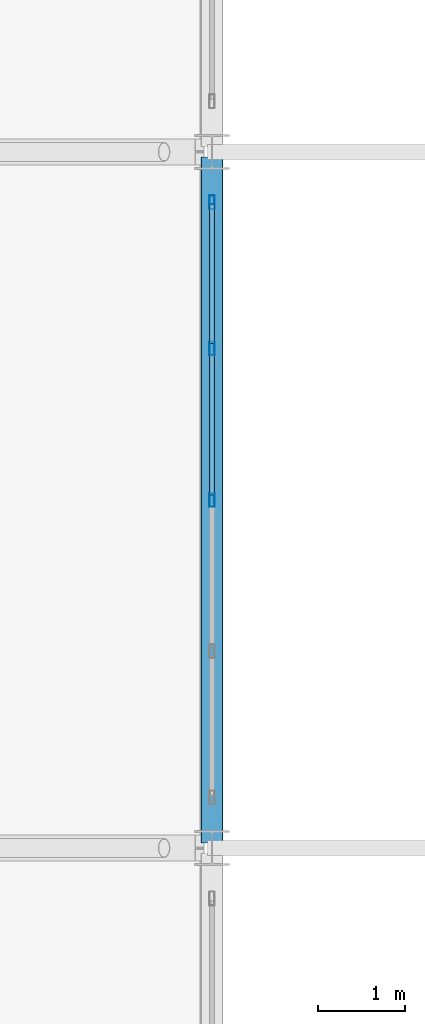
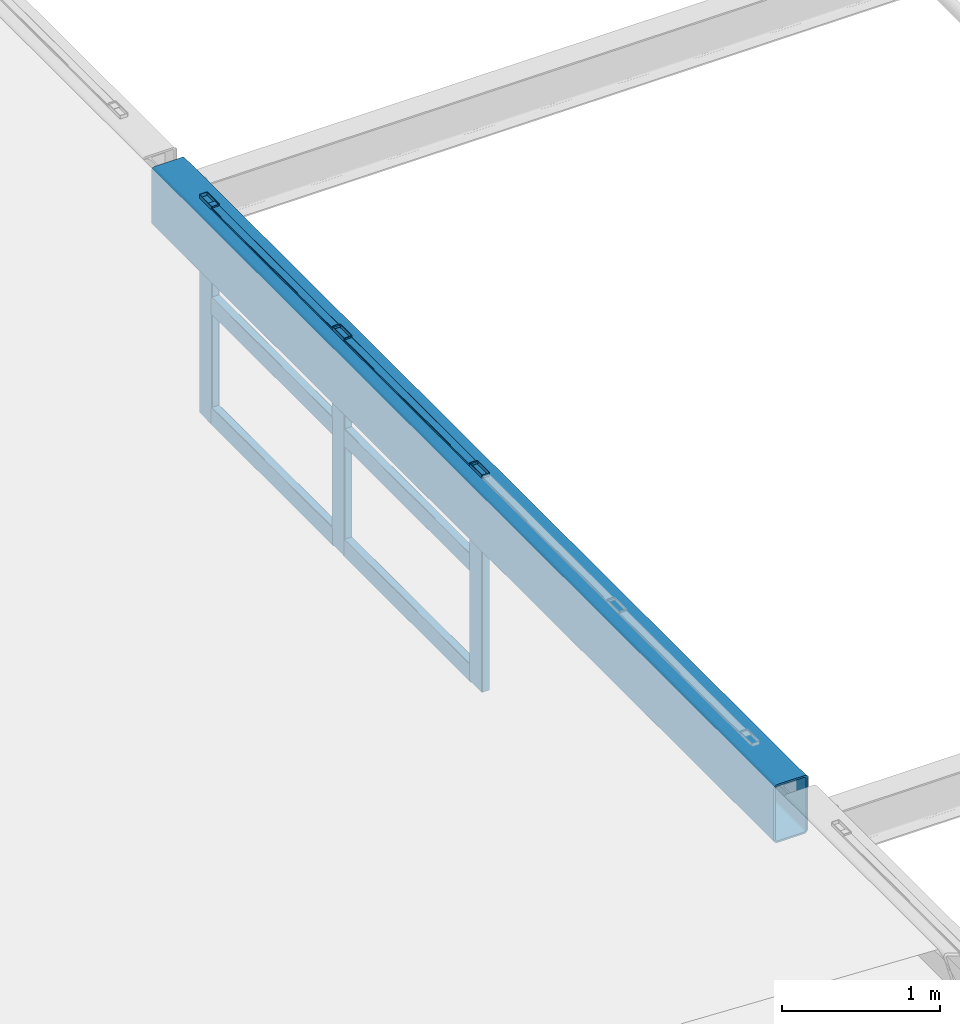
# One storey, part 23 of 128: 9 members, 1 beam, 1 element without a shape of its own.
"""IFC4 building model written with IfcOpenShell, lengths in metres."""

from ifc_helpers import new_model, si_unit, derived_unit, direction, frame, origin, origin_2d, place, context, subcontext, project, spatial, hollow_rectangle, extrude, material, material_profile, profile_set, type_object, element, aggregate, save


model = new_model("IFC4")

# Units and contexts
model_context = context("Model", 3, precision=1e-05, world=origin(), true_north=direction((0.0, 1.0)))
body_context = subcontext(model_context, "Body", "Model", "MODEL_VIEW")
ifc_project = project(units=[si_unit("LENGTHUNIT", "METRE"), si_unit("AREAUNIT", "SQUARE_METRE"), si_unit("VOLUMEUNIT", "CUBIC_METRE"), si_unit("PLANEANGLEUNIT", "RADIAN"), si_unit("MASSUNIT", "GRAM", prefix="KILO"), derived_unit("THERMALTRANSMITTANCEUNIT", [(si_unit("MASSUNIT", "GRAM", prefix="KILO"), 1), (si_unit("TIMEUNIT", "SECOND"), -3), (si_unit("THERMODYNAMICTEMPERATUREUNIT", "KELVIN"), -1)])], contexts=[model_context])

# Site, building, storey
site_placement = place(None, origin())
site = spatial("IfcSite", under=ifc_project, at=site_placement, CompositionType="ELEMENT")
building_placement = place(site_placement, origin())
building = spatial("IfcBuilding", under=site, at=building_placement, Name="Zhenchuan Archway Interchange", CompositionType="ELEMENT")
storey_placement = place(building_placement, frame((0.0, 0.0, 14.39990234375)))
storey = spatial("IfcBuildingStorey", under=building, at=storey_placement, Name="L03", CompositionType="ELEMENT", Elevation=14.39990234375)

# Beam
ifc_material_1 = material(Name="Steel Q390", Category="steel")
ifc_material_profile_1 = material_profile(ifc_material_1, hollow_rectangle(XDim=0.25, YDim=0.449951171875, WallThickness=0.013916015625, InnerFilletRadius=0.013916015625, OuterFilletRadius=0.028076171875, at=origin_2d()), Name="RHS 450x250x14")
ifc_profile_set_1 = profile_set([ifc_material_profile_1], Name="Steel Q390")
beam_type = type_object("IfcBeamType", Name="BM_RING_RHS450", PredefinedType="BEAM", material=ifc_profile_set_1)
beam_placement = place(storey_placement, frame((27.0, 56.06005859375, 1.4501953125), z_axis=(0.0, 1.0, 0.0), x_axis=(-1.0, 0.0, 0.0)))
element("IfcBeam", 1, at=beam_placement, inside=storey, type_object=beam_type, Name="CONCOURSE CABLE-NET RING BEAM W-5", PredefinedType="BEAM", context=body_context, shape_type="SweptSolid", body=[
    extrude(hollow_rectangle(XDim=0.25, YDim=0.449951171875, WallThickness=0.013916015625, InnerFilletRadius=0.013916015625, OuterFilletRadius=0.028076171875, at=origin_2d()), origin(), (0.0, 0.0, 1.0), 7.8798828125),
])

# Curtain wall, members
ifc_material_2 = material(Name="Anodised Aluminium", Category="aluminium")
curtain_wall_type = type_object("IfcCurtainWallType", Name="CW_UNIT_3", PredefinedType="NOTDEFINED", material=ifc_material_2)
curtain_wall_placement = place(storey_placement, origin())
curtain_wall = element("IfcCurtainWall", 2, at=curtain_wall_placement, inside=storey, type_object=curtain_wall_type, Name="Unitised curtain wall CW:L03:RING-W5", PredefinedType="NOTDEFINED")
ifc_material_profile_2 = material_profile(ifc_material_2, hollow_rectangle(XDim=0.06005859375, YDim=0.159912109375, WallThickness=0.00390625, InnerFilletRadius=0.00390625, OuterFilletRadius=0.008056640625, at=origin_2d()), Name="ALU 160x60x4")
ifc_profile_set_2 = profile_set([ifc_material_profile_2], Name="Anodised Aluminium")
member_type_1 = type_object("IfcMemberType", Name="CW_MUL_150", PredefinedType="MULLION", material=ifc_profile_set_2)
member_1_placement = place(storey_placement, frame((27.0, 60.0, 0.02001953125), z_axis=(0.0, 0.0, 1.0), x_axis=(1.0, 0.0, 0.0)))
member_1 = element("IfcMember", 3, at=member_1_placement, type_object=member_type_1, Name="CW:L03:RING-W5 mullion 2", PredefinedType="MULLION", context=body_context, shape_type="SweptSolid", body=[
    extrude(hollow_rectangle(XDim=0.06005859375, YDim=0.159912109375, WallThickness=0.00390625, InnerFilletRadius=0.00390625, OuterFilletRadius=0.008056640625, at=origin_2d()), origin(), (0.0, 0.0, 1.0), 1.68017578125),
])
member_2_placement = place(storey_placement, frame((27.0, 61.739990234375, 0.02001953125), z_axis=(0.0, 0.0, 1.0), x_axis=(1.0, 0.0, 0.0)))
member_2 = element("IfcMember", 4, at=member_2_placement, type_object=member_type_1, Name="CW:L03:RING-W5 mullion 3", PredefinedType="MULLION", context=body_context, shape_type="SweptSolid", body=[
    extrude(hollow_rectangle(XDim=0.06005859375, YDim=0.159912109375, WallThickness=0.00390625, InnerFilletRadius=0.00390625, OuterFilletRadius=0.008056640625, at=origin_2d()), origin(), (0.0, 0.0, 1.0), 1.68017578125),
])
member_3_placement = place(storey_placement, frame((27.0, 63.419921875, 0.02001953125), z_axis=(0.0, 0.0, 1.0), x_axis=(1.0, 0.0, 0.0)))
member_3 = element("IfcMember", 5, at=member_3_placement, type_object=member_type_1, Name="CW:L03:RING-W5 mullion 4", PredefinedType="MULLION", context=body_context, shape_type="SweptSolid", body=[
    extrude(hollow_rectangle(XDim=0.06005859375, YDim=0.159912109375, WallThickness=0.00390625, InnerFilletRadius=0.00390625, OuterFilletRadius=0.008056640625, at=origin_2d()), origin(), (0.0, 0.0, 1.0), 1.68017578125),
])
ifc_material_profile_3 = material_profile(ifc_material_2, hollow_rectangle(XDim=0.06005859375, YDim=0.139892578125, WallThickness=0.00341796875, InnerFilletRadius=0.00341796875, OuterFilletRadius=0.007080078125, at=origin_2d()), Name="ALU 140x60x3.5")
ifc_profile_set_3 = profile_set([ifc_material_profile_3], Name="Anodised Aluminium")
member_type_2 = type_object("IfcMemberType", Name="CW_TRN_140", PredefinedType="USERDEFINED", material=ifc_profile_set_3)
member_4_placement = place(storey_placement, frame((27.0, 60.06005859375, 0.080078125), z_axis=(0.0, 1.0, 0.0), x_axis=(-1.0, 0.0, 0.0)))
member_4 = element("IfcMember", 6, at=member_4_placement, type_object=member_type_2, Name="CW:L03:RING-W5 transom 2-1", ObjectType="TRANSOM", PredefinedType="USERDEFINED", context=body_context, shape_type="SweptSolid", body=[
    extrude(hollow_rectangle(XDim=0.06005859375, YDim=0.139892578125, WallThickness=0.00341796875, InnerFilletRadius=0.00341796875, OuterFilletRadius=0.007080078125, at=origin_2d()), origin(), (0.0, 0.0, 1.0), 1.619873046875),
])
member_5_placement = place(storey_placement, frame((27.0, 60.06005859375, 0.93310546875), z_axis=(0.0, 1.0, 0.0), x_axis=(-1.0, 0.0, 0.0)))
member_5 = element("IfcMember", 7, at=member_5_placement, type_object=member_type_2, Name="CW:L03:RING-W5 transom 2-2", ObjectType="TRANSOM", PredefinedType="USERDEFINED", context=body_context, shape_type="SweptSolid", body=[
    extrude(hollow_rectangle(XDim=0.06005859375, YDim=0.139892578125, WallThickness=0.00341796875, InnerFilletRadius=0.00341796875, OuterFilletRadius=0.007080078125, at=origin_2d()), origin(), (0.0, 0.0, 1.0), 1.619873046875),
])
member_6_placement = place(storey_placement, frame((27.0, 60.06005859375, 1.6201171875), z_axis=(0.0, 1.0, 0.0), x_axis=(-1.0, 0.0, 0.0)))
member_6 = element("IfcMember", 8, at=member_6_placement, type_object=member_type_2, Name="CW:L03:RING-W5 transom 2-3", ObjectType="TRANSOM", PredefinedType="USERDEFINED", context=body_context, shape_type="SweptSolid", body=[
    extrude(hollow_rectangle(XDim=0.06005859375, YDim=0.139892578125, WallThickness=0.00341796875, InnerFilletRadius=0.00341796875, OuterFilletRadius=0.007080078125, at=origin_2d()), origin(), (0.0, 0.0, 1.0), 1.619873046875),
])
member_7_placement = place(storey_placement, frame((27.0, 61.800048828125, 0.080078125), z_axis=(0.0, 1.0, 0.0), x_axis=(-1.0, 0.0, 0.0)))
member_7 = element("IfcMember", 9, at=member_7_placement, type_object=member_type_2, Name="CW:L03:RING-W5 transom 3-1", ObjectType="TRANSOM", PredefinedType="USERDEFINED", context=body_context, shape_type="SweptSolid", body=[
    extrude(hollow_rectangle(XDim=0.06005859375, YDim=0.139892578125, WallThickness=0.00341796875, InnerFilletRadius=0.00341796875, OuterFilletRadius=0.007080078125, at=origin_2d()), origin(), (0.0, 0.0, 1.0), 1.599853515625),
])
member_8_placement = place(storey_placement, frame((27.0, 61.800048828125, 0.93310546875), z_axis=(0.0, 1.0, 0.0), x_axis=(-1.0, 0.0, 0.0)))
member_8 = element("IfcMember", 10, at=member_8_placement, type_object=member_type_2, Name="CW:L03:RING-W5 transom 3-2", ObjectType="TRANSOM", PredefinedType="USERDEFINED", context=body_context, shape_type="SweptSolid", body=[
    extrude(hollow_rectangle(XDim=0.06005859375, YDim=0.139892578125, WallThickness=0.00341796875, InnerFilletRadius=0.00341796875, OuterFilletRadius=0.007080078125, at=origin_2d()), origin(), (0.0, 0.0, 1.0), 1.599853515625),
])
member_9_placement = place(storey_placement, frame((27.0, 61.800048828125, 1.6201171875), z_axis=(0.0, 1.0, 0.0), x_axis=(-1.0, 0.0, 0.0)))
member_9 = element("IfcMember", 11, at=member_9_placement, type_object=member_type_2, Name="CW:L03:RING-W5 transom 3-3", ObjectType="TRANSOM", PredefinedType="USERDEFINED", context=body_context, shape_type="SweptSolid", body=[
    extrude(hollow_rectangle(XDim=0.06005859375, YDim=0.139892578125, WallThickness=0.00341796875, InnerFilletRadius=0.00341796875, OuterFilletRadius=0.007080078125, at=origin_2d()), origin(), (0.0, 0.0, 1.0), 1.599853515625),
])
aggregate(curtain_wall, [member_1, member_2, member_3, member_4, member_5, member_6, member_7, member_8, member_9])

save(model, "model.ifc")
